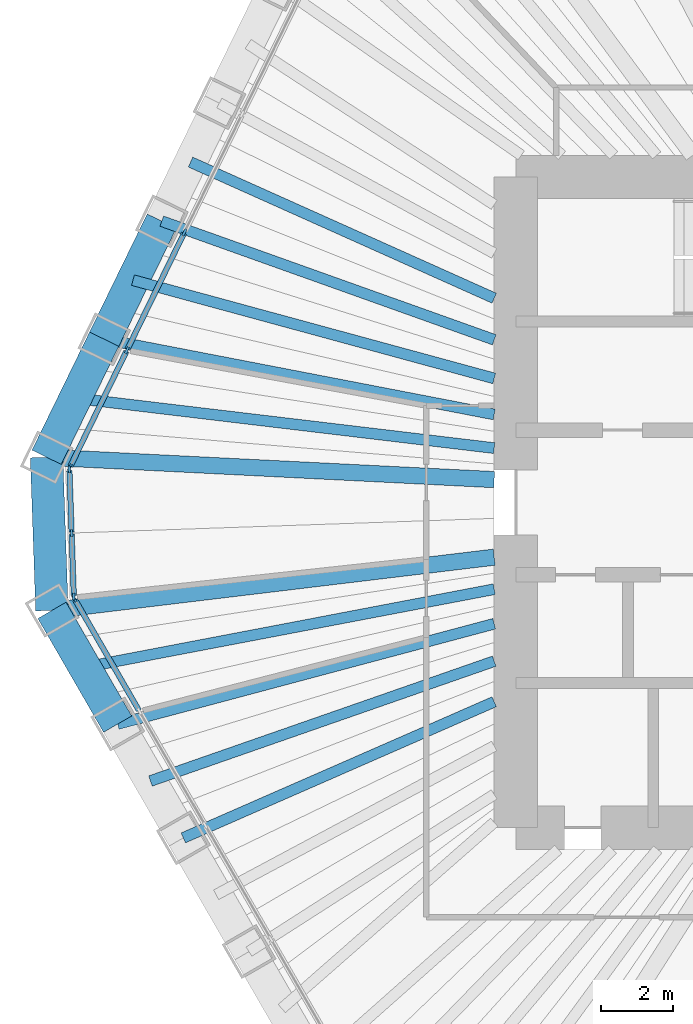
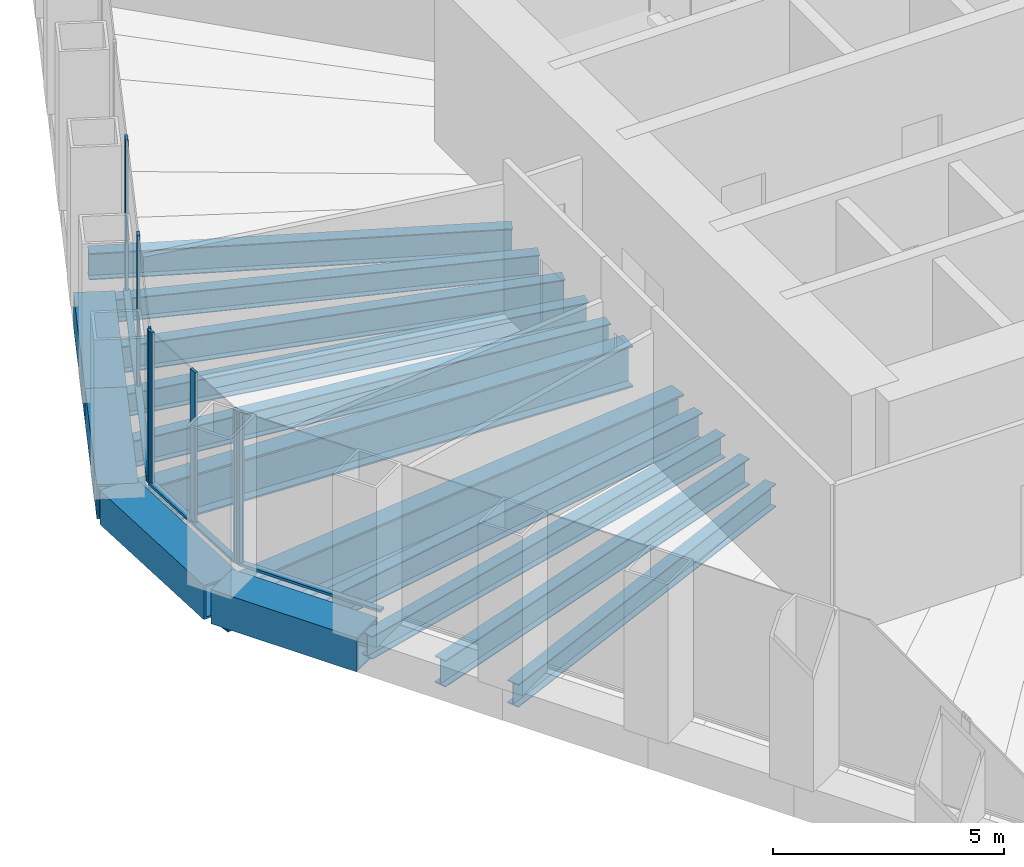
# One storey, part 3 of 13: 15 beams, 12 members, 3 elements without a shape of their own.
"""IFC4 building model written with IfcOpenShell, lengths in metres."""

from ifc_helpers import new_model, si_unit, direction, frame, origin, origin_2d, place, context, subcontext, project, spatial, rectangle, hollow_rectangle, i_section, extrude, material, material_profile, profile_set, type_object, element, aggregate, save


model = new_model("IFC4")

# Units and contexts
model_context = context("Model", 3, precision=1e-05, world=origin(), true_north=direction((0.0, 1.0)))
body_context = subcontext(model_context, "Body", "Model", "MODEL_VIEW")
ifc_project = project(units=[si_unit("LENGTHUNIT", "METRE"), si_unit("AREAUNIT", "SQUARE_METRE"), si_unit("VOLUMEUNIT", "CUBIC_METRE"), si_unit("PLANEANGLEUNIT", "RADIAN"), si_unit("MASSUNIT", "GRAM", prefix="KILO")], contexts=[model_context])

# Site, building, storey
site_placement = place(None, origin())
site = spatial("IfcSite", under=ifc_project, at=site_placement, CompositionType="ELEMENT")
building_placement = place(site_placement, origin())
building = spatial("IfcBuilding", under=site, at=building_placement, Name="Qingtian Harvest Tower", CompositionType="ELEMENT")
storey_placement = place(building_placement, frame((0.0, 0.0, 205.60009765625)))
storey = spatial("IfcBuildingStorey", under=building, at=storey_placement, Name="L44", CompositionType="ELEMENT", Elevation=205.60009765625)

# Beams
ifc_material_1 = material(Name="Steel SM570MC", Category="steel")
ifc_material_profile_1 = material_profile(ifc_material_1, i_section(OverallWidth=0.449951171875, OverallDepth=1.10009765625, WebThickness=0.02197265625, FlangeThickness=0.044921875, at=origin_2d()), Name="H1100x450x22x45")
ifc_profile_set_1 = profile_set([ifc_material_profile_1], Name="Steel SM570MC")
beam_type_1 = type_object("IfcBeamType", Name="Corner floor beam FB8 H1100x450x22x45", PredefinedType="BEAM", material=ifc_profile_set_1)
beam_1_placement = place(storey_placement, frame((-24.833251953125, -2.987548828125, -0.72021484375), z_axis=(0.992841259631, 0.119441337798, 0.0), x_axis=(-0.119441337798, 0.992841259631, 0.0)))
element("IfcBeam", 1, at=beam_1_placement, inside=storey, type_object=beam_type_1, Name="Floor beam FB8 SW6", PredefinedType="BEAM", context=body_context, shape_type="SweptSolid", body=[
    extrude(i_section(OverallWidth=0.449951171875, OverallDepth=1.10009765625, WebThickness=0.02197265625, FlangeThickness=0.044921875, at=origin_2d()), origin(), (0.0, 0.0, 1.0), 12.3212890625),
])
beam_2_placement = place(storey_placement, frame((-24.981201171875, 1.248046875, -0.72021484375), z_axis=(0.998753959075, -0.049905202459, 0.0), x_axis=(0.049905202459, 0.998753959075, 0.0)))
element("IfcBeam", 2, at=beam_2_placement, inside=storey, type_object=beam_type_1, Name="Floor beam FB8 NW0", PredefinedType="BEAM", context=body_context, shape_type="SweptSolid", body=[
    extrude(i_section(OverallWidth=0.449951171875, OverallDepth=1.10009765625, WebThickness=0.02197265625, FlangeThickness=0.044921875, at=origin_2d()), origin(), (0.0, 0.0, 1.0), 12.396484375),
])
ifc_material_2 = material(Name="Steel SN490B", Category="steel")
ifc_material_profile_2 = material_profile(ifc_material_2, i_section(OverallWidth=0.300048828125, OverallDepth=0.60009765625, WebThickness=0.011962890625, FlangeThickness=0.02001953125, at=origin_2d()), Name="H600x300x12x20")
ifc_profile_set_2 = profile_set([ifc_material_profile_2], Name="Steel SN490B")
beam_type_2 = type_object("IfcBeamType", Name="Floor beam FB3 H600x300x12x20", PredefinedType="BEAM", material=ifc_profile_set_2)
beam_3_placement = place(storey_placement, frame((-21.19970703125, -9.281005859375, -0.47021484375), z_axis=(0.916057031544, 0.401048020765, 0.0), x_axis=(-0.401048020765, 0.916057031544, 0.0)))
element("IfcBeam", 3, at=beam_3_placement, inside=storey, type_object=beam_type_2, Name="Floor beam FB3 SW4", PredefinedType="BEAM", context=body_context, shape_type="SweptSolid", body=[
    extrude(i_section(OverallWidth=0.300048828125, OverallDepth=0.60009765625, WebThickness=0.011962890625, FlangeThickness=0.02001953125, at=origin_2d()), origin(), (0.0, 0.0, 1.0), 9.3876953125),
])
beam_4_placement = place(storey_placement, frame((-23.016357421875, -6.13427734375, -0.47021484375), z_axis=(0.966270640629, 0.257528734433, 0.0), x_axis=(-0.257528734433, 0.966270640629, 0.0)))
element("IfcBeam", 4, at=beam_4_placement, inside=storey, type_object=beam_type_2, Name="Floor beam FB3 SW5", PredefinedType="BEAM", context=body_context, shape_type="SweptSolid", body=[
    extrude(i_section(OverallWidth=0.300048828125, OverallDepth=0.60009765625, WebThickness=0.011962890625, FlangeThickness=0.02001953125, at=origin_2d()), origin(), (0.0, 0.0, 1.0), 10.77978515625),
])
beam_5_placement = place(storey_placement, frame((-23.388427734375, 4.513916015625, -0.47021484375), z_axis=(0.981878004162, -0.189514075845, 0.0), x_axis=(0.189514075845, 0.981878004162, 0.0)))
element("IfcBeam", 5, at=beam_5_placement, inside=storey, type_object=beam_type_2, Name="Floor beam FB3 NW1", PredefinedType="BEAM", context=body_context, shape_type="SweptSolid", body=[
    extrude(i_section(OverallWidth=0.300048828125, OverallDepth=0.60009765625, WebThickness=0.011962890625, FlangeThickness=0.02001953125, at=origin_2d()), origin(), (0.0, 0.0, 1.0), 10.987548828125),
])
beam_6_placement = place(storey_placement, frame((-21.79541015625, 7.779541015625, -0.47021484375), z_axis=(0.941800733255, -0.336171650857, 0.0), x_axis=(0.336171650857, 0.941800733255, 0.0)))
element("IfcBeam", 6, at=beam_6_placement, inside=storey, type_object=beam_type_2, Name="Floor beam FB3 NW2", PredefinedType="BEAM", context=body_context, shape_type="SweptSolid", body=[
    extrude(i_section(OverallWidth=0.300048828125, OverallDepth=0.60009765625, WebThickness=0.011962890625, FlangeThickness=0.02001953125, at=origin_2d()), origin(), (0.0, 0.0, 1.0), 9.763427734375),
])
ifc_material_3 = material(Name="Steel SN490B", Category="steel")
ifc_material_profile_3 = material_profile(ifc_material_3, i_section(OverallWidth=0.300048828125, OverallDepth=0.699951171875, WebThickness=0.012939453125, FlangeThickness=0.02392578125, at=origin_2d()), Name="H700x300x13x24")
ifc_profile_set_3 = profile_set([ifc_material_profile_3], Name="Steel SN490B")
beam_type_3 = type_object("IfcBeamType", Name="Floor joist J2 H700x300x13x24", PredefinedType="JOIST", material=ifc_profile_set_3)
beam_7_placement = place(storey_placement, frame((-22.108154296875, -7.707763671875, -0.52001953125), z_axis=(0.944256456951, 0.329210788868, 0.0), x_axis=(-0.329210788868, 0.944256456951, 0.0)))
element("IfcBeam", 7, at=beam_7_placement, inside=storey, type_object=beam_type_3, Name="Floor joist J2 SW4", PredefinedType="JOIST", context=body_context, shape_type="SweptSolid", body=[
    extrude(i_section(OverallWidth=0.300048828125, OverallDepth=0.699951171875, WebThickness=0.012939453125, FlangeThickness=0.02392578125, at=origin_2d()), origin(), (0.0, 0.0, 1.0), 10.0693359375),
])
beam_8_placement = place(storey_placement, frame((-23.9248046875, -4.56103515625, -0.52001953125), z_axis=(0.982309082743, 0.187266830912, 0.0), x_axis=(-0.187266830912, 0.982309082743, 0.0)))
element("IfcBeam", 8, at=beam_8_placement, inside=storey, type_object=beam_type_3, Name="Floor joist J2 SW5", PredefinedType="JOIST", context=body_context, shape_type="SweptSolid", body=[
    extrude(i_section(OverallWidth=0.300048828125, OverallDepth=0.699951171875, WebThickness=0.012939453125, FlangeThickness=0.02392578125, at=origin_2d()), origin(), (0.0, 0.0, 1.0), 11.528564453125),
])
beam_9_placement = place(storey_placement, frame((-24.184814453125, 2.880859375, -0.52001953125), z_axis=(0.992980727423, -0.11827626544, 0.0), x_axis=(0.11827626544, 0.992980727423, 0.0)))
element("IfcBeam", 9, at=beam_9_placement, inside=storey, type_object=beam_type_3, Name="Floor joist J2 NW0", PredefinedType="JOIST", context=body_context, shape_type="SweptSolid", body=[
    extrude(i_section(OverallWidth=0.300048828125, OverallDepth=0.699951171875, WebThickness=0.012939453125, FlangeThickness=0.02392578125, at=origin_2d()), origin(), (0.0, 0.0, 1.0), 11.66650390625),
])
beam_10_placement = place(storey_placement, frame((-22.591796875, 6.146728515625, -0.52001953125), z_axis=(0.964923062728, -0.26253282274, 0.0), x_axis=(0.26253282274, 0.964923062728, 0.0)))
element("IfcBeam", 10, at=beam_10_placement, inside=storey, type_object=beam_type_3, Name="Floor joist J2 NW1", PredefinedType="JOIST", context=body_context, shape_type="SweptSolid", body=[
    extrude(i_section(OverallWidth=0.300048828125, OverallDepth=0.699951171875, WebThickness=0.012939453125, FlangeThickness=0.02392578125, at=origin_2d()), origin(), (0.0, 0.0, 1.0), 10.35498046875),
])
beam_11_placement = place(storey_placement, frame((-20.9990234375, 9.41259765625, -0.52001953125), z_axis=(0.912515128421, -0.409042956671, 0.0), x_axis=(0.409042956671, 0.912515128421, 0.0)))
element("IfcBeam", 11, at=beam_11_placement, inside=storey, type_object=beam_type_3, Name="Floor joist J2 NW2", PredefinedType="JOIST", context=body_context, shape_type="SweptSolid", body=[
    extrude(i_section(OverallWidth=0.300048828125, OverallDepth=0.699951171875, WebThickness=0.012939453125, FlangeThickness=0.02392578125, at=origin_2d()), origin(), (0.0, 0.0, 1.0), 9.2041015625),
])

# Curtain wall, member
ifc_material_4 = material(Name="Bronze-anodised aluminium curtain wall", Category="aluminium")
curtain_wall_type = type_object("IfcCurtainWallType", Name="Curtain wall CW4 office", PredefinedType="USERDEFINED", material=ifc_material_4)
curtain_wall_1_placement = place(storey_placement, origin())
curtain_wall_1 = element("IfcCurtainWall", 12, at=curtain_wall_1_placement, inside=storey, type_object=curtain_wall_type, Name="Curtain wall CW4 L44 SW0-5", ObjectType="RECESSED CURTAIN WALL", PredefinedType="USERDEFINED")
ifc_material_5 = material(Name="Bronze-anodised aluminium mullion", Category="aluminium")
ifc_material_profile_4 = material_profile(ifc_material_5, rectangle(XDim=0.06494140625, YDim=0.199951171875, at=origin_2d()), Name="AL 65x200")
ifc_profile_set_4 = profile_set([ifc_material_profile_4], Name="Bronze-anodised aluminium mullion")
member_type_1 = type_object("IfcMemberType", Name="Mullion CWM 65x200", PredefinedType="MULLION", material=ifc_profile_set_4)
member_1_placement = place(storey_placement, frame((-24.210693359375, -2.665771484375, 0.0), z_axis=(0.0, 0.0, 1.0), x_axis=(-0.866025403784, -0.5, 0.0)))
member_1 = element("IfcMember", 13, at=member_1_placement, type_object=member_type_1, Name="CW4 mullion 7", PredefinedType="MULLION", context=body_context, shape_type="SweptSolid", body=[
    extrude(rectangle(XDim=0.06494140625, YDim=0.199951171875, at=origin_2d()), origin(), (0.0, 0.0, 1.0), 4.02978515625),
])

# Curtain wall, members
curtain_wall_2_placement = place(storey_placement, origin())
curtain_wall_2 = element("IfcCurtainWall", 14, at=curtain_wall_2_placement, inside=storey, type_object=curtain_wall_type, Name="Curtain wall CW4 L44 SWC", ObjectType="RECESSED CURTAIN WALL", PredefinedType="USERDEFINED")
member_2_placement = place(storey_placement, frame((-24.228271484375, -2.60498046875, 0.0), z_axis=(0.0, 0.0, 1.0), x_axis=(-0.999390827019, -0.034899496703, 0.0)))
member_2 = element("IfcMember", 15, at=member_2_placement, type_object=member_type_1, Name="CW4 mullion 1", PredefinedType="MULLION", context=body_context, shape_type="SweptSolid", body=[
    extrude(rectangle(XDim=0.06494140625, YDim=0.199951171875, at=origin_2d()), origin(), (0.0, 0.0, 1.0), 4.02978515625),
])
member_3_placement = place(storey_placement, frame((-24.28955078125, -0.84814453125, 0.0), z_axis=(0.0, 0.0, 1.0), x_axis=(-0.999390827019, -0.034899496703, 0.0)))
member_3 = element("IfcMember", 16, at=member_3_placement, type_object=member_type_1, Name="CW4 mullion 2", PredefinedType="MULLION", context=body_context, shape_type="SweptSolid", body=[
    extrude(rectangle(XDim=0.06494140625, YDim=0.199951171875, at=origin_2d()), origin(), (0.0, 0.0, 1.0), 4.02978515625),
])
member_4_placement = place(storey_placement, frame((-24.350830078125, 0.90869140625, 0.0), z_axis=(0.0, 0.0, 1.0), x_axis=(-0.999390827019, -0.034899496703, 0.0)))
member_4 = element("IfcMember", 17, at=member_4_placement, type_object=member_type_1, Name="CW4 mullion 3", PredefinedType="MULLION", context=body_context, shape_type="SweptSolid", body=[
    extrude(rectangle(XDim=0.06494140625, YDim=0.199951171875, at=origin_2d()), origin(), (0.0, 0.0, 1.0), 4.02978515625),
])

curtain_wall_3_placement = place(storey_placement, origin())
curtain_wall_3 = element("IfcCurtainWall", 18, at=curtain_wall_3_placement, inside=storey, type_object=curtain_wall_type, Name="Curtain wall CW4 L44 NW0-5", ObjectType="RECESSED CURTAIN WALL", PredefinedType="USERDEFINED")
member_5_placement = place(storey_placement, frame((-24.337646484375, 0.970458984375, 0.0), z_axis=(0.0, 0.0, 1.0), x_axis=(-0.898794046299, 0.438371146789, 0.0)))
member_5 = element("IfcMember", 19, at=member_5_placement, type_object=member_type_1, Name="CW4 mullion 1", PredefinedType="MULLION", context=body_context, shape_type="SweptSolid", body=[
    extrude(rectangle(XDim=0.06494140625, YDim=0.199951171875, at=origin_2d()), origin(), (0.0, 0.0, 1.0), 4.02978515625),
])
member_6_placement = place(storey_placement, frame((-22.759033203125, 4.20703125, 0.0), z_axis=(0.0, 0.0, 1.0), x_axis=(-0.898794046299, 0.438371146789, 0.0)))
member_6 = element("IfcMember", 20, at=member_6_placement, type_object=member_type_1, Name="CW4 mullion 2", PredefinedType="MULLION", context=body_context, shape_type="SweptSolid", body=[
    extrude(rectangle(XDim=0.06494140625, YDim=0.199951171875, at=origin_2d()), origin(), (0.0, 0.0, 1.0), 4.02978515625),
])
member_7_placement = place(storey_placement, frame((-21.166259765625, 7.47265625, 0.0), z_axis=(0.0, 0.0, 1.0), x_axis=(-0.898794046299, 0.438371146789, 0.0)))
member_7 = element("IfcMember", 21, at=member_7_placement, type_object=member_type_1, Name="CW4 mullion 3", PredefinedType="MULLION", context=body_context, shape_type="SweptSolid", body=[
    extrude(rectangle(XDim=0.06494140625, YDim=0.199951171875, at=origin_2d()), origin(), (0.0, 0.0, 1.0), 4.02978515625),
])

# Beams
ifc_material_6 = material(Name="Steel SM570MC", Category="steel")
ifc_material_profile_5 = material_profile(ifc_material_6, hollow_rectangle(XDim=0.89990234375, YDim=0.89990234375, WallThickness=0.050048828125, at=origin_2d()), Name="BOX900x900x50")
ifc_profile_set_5 = profile_set([ifc_material_profile_5], Name="Steel SM570MC")
beam_type_4 = type_object("IfcBeamType", Name="Transition spandrel SB6 BOX900x900x50", PredefinedType="SPANDREL", material=ifc_profile_set_5)
beam_12_placement = place(storey_placement, frame((-23.016357421875, -6.13427734375, -0.4501953125), z_axis=(-0.500026827678, 0.866009914263, 0.0), x_axis=(-0.866009914263, -0.500026827678, 0.0)))
element("IfcBeam", 22, at=beam_12_placement, inside=storey, type_object=beam_type_4, Name="Spandrel SB6 SW5", PredefinedType="SPANDREL", context=body_context, shape_type="SweptSolid", body=[
    extrude(hollow_rectangle(XDim=0.89990234375, YDim=0.89990234375, WallThickness=0.050048828125, at=origin_2d()), origin(), (0.0, 0.0, 1.0), 3.633544921875),
])
beam_13_placement = place(storey_placement, frame((-24.833251953125, -2.987548828125, -0.4501953125), z_axis=(-0.034908677553, 0.999390506375, 0.0), x_axis=(-0.999390506375, -0.034908677553, 0.0)))
element("IfcBeam", 23, at=beam_13_placement, inside=storey, type_object=beam_type_4, Name="Spandrel SB6 SWC", PredefinedType="SPANDREL", context=body_context, shape_type="SweptSolid", body=[
    extrude(hollow_rectangle(XDim=0.89990234375, YDim=0.89990234375, WallThickness=0.050048828125, at=origin_2d()), origin(), (0.0, 0.0, 1.0), 4.23828125),
])
for number, where, z_axis, x_axis, name in (
    (24, (-24.981201171875, 1.248046875, -0.4501953125), (0.438349498419, 0.898804604592, 0.0), (-0.898804604592, 0.438349498419, 0.0), "Spandrel SB6 NW0"),
    (25, (-23.388427734375, 4.513916015625, -0.4501953125), (0.438430251153, 0.898765216769, 0.0), (-0.898765216769, 0.438430251153, 0.0), "Spandrel SB6 NW1"),
):
    element("IfcBeam", number, at=place(storey_placement, frame(where, z_axis=z_axis, x_axis=x_axis)), inside=storey, type_object=beam_type_4, Name=name, PredefinedType="SPANDREL", context=body_context, shape_type="SweptSolid", body=[
        extrude(hollow_rectangle(XDim=0.89990234375, YDim=0.89990234375, WallThickness=0.050048828125, at=origin_2d()), origin(), (0.0, 0.0, 1.0), 3.633544921875),
    ])

# Member
ifc_material_7 = material(Name="Bronze-anodised aluminium transom", Category="aluminium")
ifc_material_profile_6 = material_profile(ifc_material_7, rectangle(XDim=0.14990234375, YDim=0.06494140625, at=origin_2d()), Name="AL 65x150")
ifc_profile_set_6 = profile_set([ifc_material_profile_6], Name="Bronze-anodised aluminium transom")
member_type_2 = type_object("IfcMemberType", Name="Transom CWT 65x150", PredefinedType="USERDEFINED", material=ifc_profile_set_6)
member_8_placement = place(storey_placement, frame((-22.426513671875, -5.756103515625, 0.032470703125), z_axis=(-0.500015305566, 0.866016566931, 0.0), x_axis=(-0.866016566931, -0.500015305566, 0.0)))
member_8 = element("IfcMember", 26, at=member_8_placement, type_object=member_type_2, Name="CW4 transom 6.1", ObjectType="TRANSOM", PredefinedType="USERDEFINED", context=body_context, shape_type="SweptSolid", body=[
    extrude(rectangle(XDim=0.14990234375, YDim=0.06494140625, at=origin_2d()), origin(), (0.0, 0.0, 1.0), 3.5361328125),
])

aggregate(curtain_wall_1, [member_1, member_8])

member_9_placement = place(storey_placement, frame((-24.229248046875, -2.572509765625, 0.032470703125), z_axis=(-0.034899362377, 0.99939083171, 0.0), x_axis=(-0.99939083171, -0.034899362377, 0.0)))
member_9 = element("IfcMember", 27, at=member_9_placement, type_object=member_type_2, Name="CW4 transom 1.1", ObjectType="TRANSOM", PredefinedType="USERDEFINED", context=body_context, shape_type="SweptSolid", body=[
    extrude(rectangle(XDim=0.14990234375, YDim=0.06494140625, at=origin_2d()), origin(), (0.0, 0.0, 1.0), 1.69287109375),
])

member_10_placement = place(storey_placement, frame((-24.29052734375, -0.815673828125, 0.032470703125), z_axis=(-0.034899362377, 0.99939083171, 0.0), x_axis=(-0.99939083171, -0.034899362377, 0.0)))
member_10 = element("IfcMember", 28, at=member_10_placement, type_object=member_type_2, Name="CW4 transom 2.1", ObjectType="TRANSOM", PredefinedType="USERDEFINED", context=body_context, shape_type="SweptSolid", body=[
    extrude(rectangle(XDim=0.14990234375, YDim=0.06494140625, at=origin_2d()), origin(), (0.0, 0.0, 1.0), 1.69287109375),
])

aggregate(curtain_wall_2, [member_2, member_3, member_4, member_9, member_10])

member_11_placement = place(storey_placement, frame((-24.323486328125, 0.99951171875, 0.032470703125), z_axis=(0.438354255898, 0.898802284341, 0.0), x_axis=(-0.898802284341, 0.438354255898, 0.0)))
member_11 = element("IfcMember", 29, at=member_11_placement, type_object=member_type_2, Name="CW4 transom 1.1", ObjectType="TRANSOM", PredefinedType="USERDEFINED", context=body_context, shape_type="SweptSolid", body=[
    extrude(rectangle(XDim=0.14990234375, YDim=0.06494140625, at=origin_2d()), origin(), (0.0, 0.0, 1.0), 3.5361328125),
])

member_12_placement = place(storey_placement, frame((-22.744873046875, 4.236083984375, 0.032470703125), z_axis=(0.438325233634, 0.89881643819, 0.0), x_axis=(-0.89881643819, 0.438325233634, 0.0)))
member_12 = element("IfcMember", 30, at=member_12_placement, type_object=member_type_2, Name="CW4 transom 2.1", ObjectType="TRANSOM", PredefinedType="USERDEFINED", context=body_context, shape_type="SweptSolid", body=[
    extrude(rectangle(XDim=0.14990234375, YDim=0.06494140625, at=origin_2d()), origin(), (0.0, 0.0, 1.0), 3.568603515625),
])

aggregate(curtain_wall_3, [member_5, member_6, member_7, member_11, member_12])

save(model, "model.ifc")
